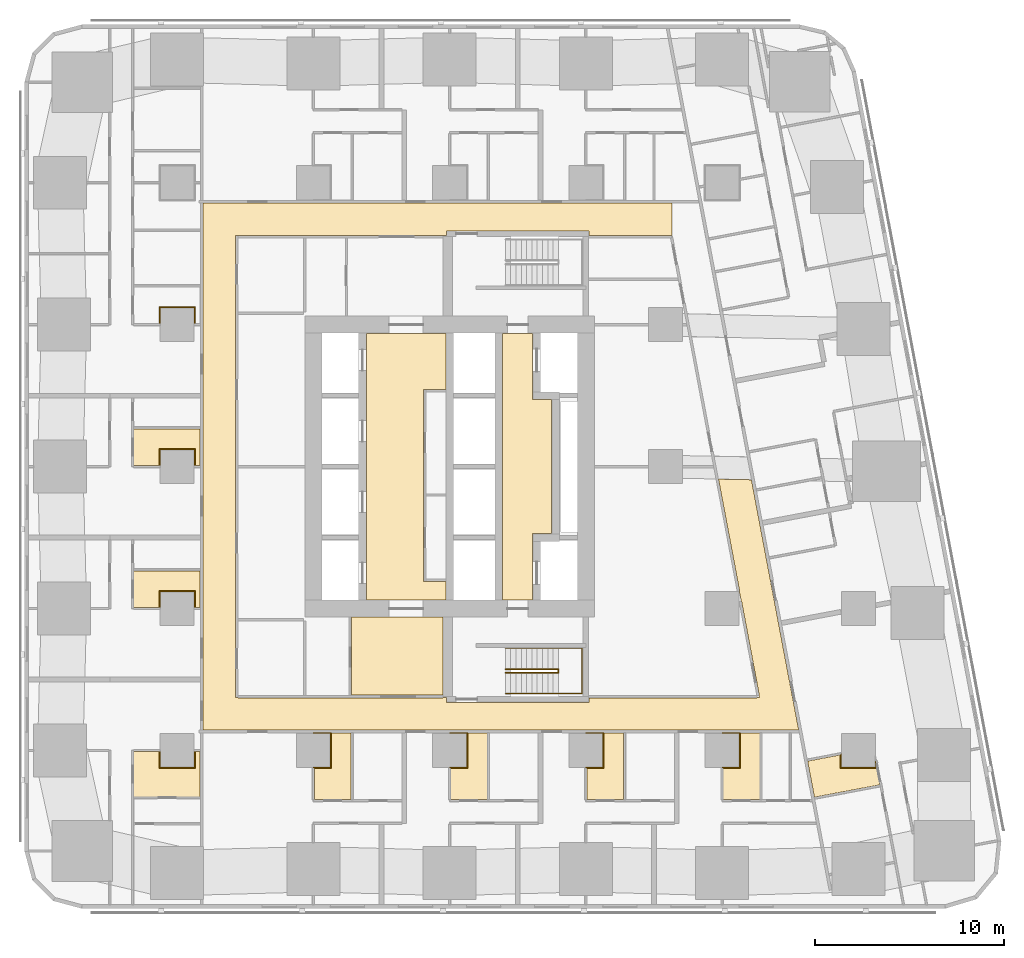
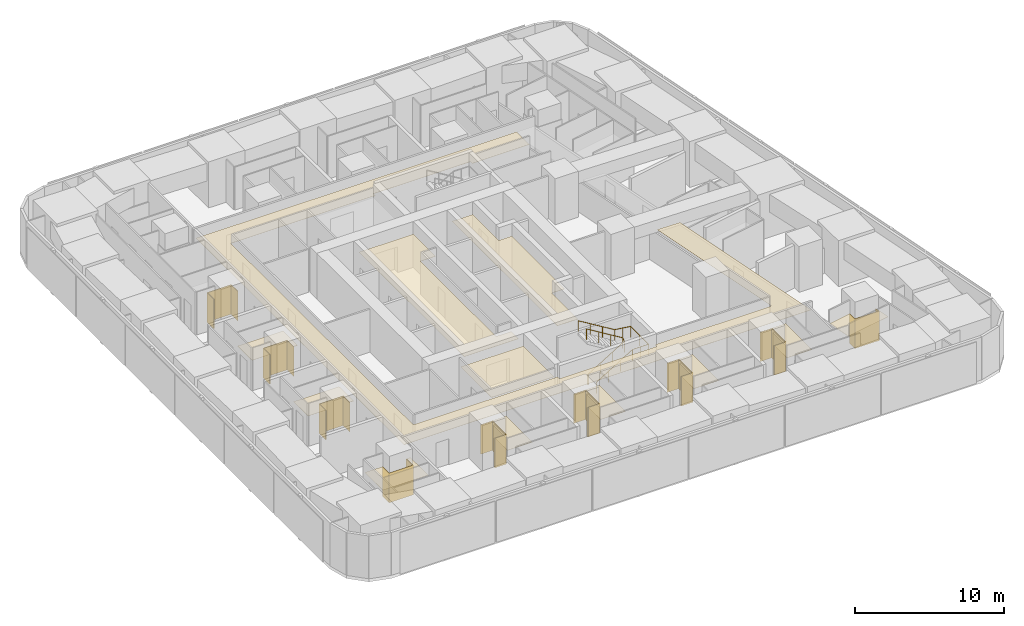
# One storey, part 13 of 15: 21 coverings, 2 railings.
"""IFC4 building model written with IfcOpenShell, lengths in metres."""

from ifc_helpers import new_model, si_unit, direction, frame, origin, origin_2d, place, context, subcontext, project, spatial, polyline, circle, outline, extrude, material, layer, layer_set, type_object, element, save


model = new_model("IFC4")

# Units and contexts
model_context = context("Model", 3, precision=1e-05, world=origin(), true_north=direction((0.0, 1.0)))
body_context = subcontext(model_context, "Body", "Model", "MODEL_VIEW")
ifc_project = project(units=[si_unit("LENGTHUNIT", "METRE"), si_unit("AREAUNIT", "SQUARE_METRE"), si_unit("VOLUMEUNIT", "CUBIC_METRE"), si_unit("PLANEANGLEUNIT", "RADIAN"), si_unit("MASSUNIT", "GRAM", prefix="KILO")], contexts=[model_context])

# Site, building, storey
site_placement = place(None, origin())
site = spatial("IfcSite", under=ifc_project, at=site_placement, CompositionType="ELEMENT")
building_placement = place(site_placement, origin())
building = spatial("IfcBuilding", under=site, at=building_placement, Name="Sheger Commons Tower", CompositionType="ELEMENT")
storey_placement = place(building_placement, frame((0.0, 0.0, 65.0)))
storey = spatial("IfcBuildingStorey", under=building, at=storey_placement, Name="L16", CompositionType="ELEMENT", Elevation=65.0)

# Railings
ifc_material_1 = material(Name="Steel handrail, black powder-coated", Category="steel")
railing_type = type_object("IfcRailingType", Name="HANDRAIL 900", PredefinedType="HANDRAIL", material=ifc_material_1)
railing_1_placement = place(storey_placement, frame((24.550048828125, 11.60009765625, 0.17041015625)))
element("IfcRailing", 1, at=railing_1_placement, inside=storey, type_object=railing_type, Name="Stair S1 handrail L16", PredefinedType="HANDRAIL", context=body_context, shape_type="SweptSolid", body=[
    extrude(circle(Radius=0.02392578125, at=origin_2d()), frame((0.0, 0.0, 0.8759765625), z_axis=(0.854169791009, 0.0, 0.51999420009), x_axis=(0.0, 1.0, 0.0)), (0.0, 0.0, 1.0), 3.278076171875),
    extrude(circle(Radius=0.02392578125, at=origin_2d()), frame((2.800048828125, 0.0, 2.58056640625), z_axis=(0.0, 0.761090297175, 0.648645943136), x_axis=(-1.0, 0.0, 0.0)), (0.0, 0.0, 1.0), 0.2626953125),
    extrude(circle(Radius=0.02392578125, at=origin_2d()), frame((2.800048828125, 0.199951171875, 2.7509765625), z_axis=(-0.854169791009, 0.0, 0.51999420009), x_axis=(0.0, -1.0, 0.0)), (0.0, 0.0, 1.0), 3.278076171875),
    extrude(circle(Radius=0.02099609375, at=origin_2d()), origin(), (0.0, 0.0, 1.0), 0.851806640625),
    extrude(circle(Radius=0.02099609375, at=origin_2d()), frame((0.933349609375, 0.0, 0.568115234375)), (0.0, 0.0, 1.0), 0.851806640625),
    extrude(circle(Radius=0.02099609375, at=origin_2d()), frame((1.86669921875, 0.0, 1.136474609375)), (0.0, 0.0, 1.0), 0.851806640625),
    extrude(circle(Radius=0.02099609375, at=origin_2d()), frame((2.800048828125, 0.0, 1.70458984375)), (0.0, 0.0, 1.0), 0.851806640625),
    extrude(circle(Radius=0.02099609375, at=origin_2d()), frame((2.800048828125, 0.199951171875, 1.875)), (0.0, 0.0, 1.0), 0.851806640625),
    extrude(circle(Radius=0.02099609375, at=origin_2d()), frame((1.86669921875, 0.199951171875, 2.443115234375)), (0.0, 0.0, 1.0), 0.851806640625),
    extrude(circle(Radius=0.02099609375, at=origin_2d()), frame((0.933349609375, 0.199951171875, 3.011474609375)), (0.0, 0.0, 1.0), 0.851806640625),
    extrude(circle(Radius=0.02099609375, at=origin_2d()), frame((0.0, 0.199951171875, 3.57958984375)), (0.0, 0.0, 1.0), 0.851806640625),
])
railing_2_placement = place(storey_placement, frame((24.550048828125, 10.5, 0.17041015625)))
element("IfcRailing", 2, at=railing_2_placement, inside=storey, type_object=railing_type, Name="Stair S1 handrail L16", PredefinedType="HANDRAIL", context=body_context, shape_type="SweptSolid", body=[
    extrude(circle(Radius=0.02392578125, at=origin_2d()), frame((0.0, 0.0, 0.8759765625), z_axis=(0.854169791009, 0.0, 0.51999420009), x_axis=(0.0, 1.0, 0.0)), (0.0, 0.0, 1.0), 3.278076171875),
    extrude(circle(Radius=0.02392578125, at=origin_2d()), frame((2.800048828125, 0.0, 2.58056640625), z_axis=(1.0, 0.0, 0.0), x_axis=(0.0, 1.0, 0.0)), (0.0, 0.0, 1.0), 1.25),
    extrude(circle(Radius=0.02392578125, at=origin_2d()), frame((4.050048828125, 0.0, 2.58056640625), z_axis=(0.0, 1.0, 0.0), x_axis=(-1.0, 0.0, 0.0)), (0.0, 0.0, 1.0), 2.39990234375),
    extrude(circle(Radius=0.02392578125, at=origin_2d()), frame((4.050048828125, 2.39990234375, 2.58056640625), z_axis=(-0.990834877927, 0.0, 0.135078661092), x_axis=(0.0, -1.0, 0.0)), (0.0, 0.0, 1.0), 1.261474609375),
    extrude(circle(Radius=0.02392578125, at=origin_2d()), frame((2.800048828125, 2.39990234375, 2.7509765625), z_axis=(-0.854169791009, 0.0, 0.51999420009), x_axis=(0.0, -1.0, 0.0)), (0.0, 0.0, 1.0), 3.278076171875),
    extrude(circle(Radius=0.02099609375, at=origin_2d()), origin(), (0.0, 0.0, 1.0), 0.851806640625),
    extrude(circle(Radius=0.02099609375, at=origin_2d()), frame((0.933349609375, 0.0, 0.568115234375)), (0.0, 0.0, 1.0), 0.851806640625),
    extrude(circle(Radius=0.02099609375, at=origin_2d()), frame((1.86669921875, 0.0, 1.136474609375)), (0.0, 0.0, 1.0), 0.851806640625),
    extrude(circle(Radius=0.02099609375, at=origin_2d()), frame((2.800048828125, 0.0, 1.70458984375)), (0.0, 0.0, 1.0), 0.851806640625),
    extrude(circle(Radius=0.02099609375, at=origin_2d()), frame((3.425048828125, 0.0, 1.70458984375)), (0.0, 0.0, 1.0), 0.851806640625),
    extrude(circle(Radius=0.02099609375, at=origin_2d()), frame((4.050048828125, 0.0, 1.70458984375)), (0.0, 0.0, 1.0), 0.851806640625),
    extrude(circle(Radius=0.02099609375, at=origin_2d()), frame((4.050048828125, 1.199951171875, 1.70458984375)), (0.0, 0.0, 1.0), 0.851806640625),
    extrude(circle(Radius=0.02099609375, at=origin_2d()), frame((4.050048828125, 2.39990234375, 1.70458984375)), (0.0, 0.0, 1.0), 0.851806640625),
    extrude(circle(Radius=0.02099609375, at=origin_2d()), frame((3.425048828125, 2.39990234375, 1.789794921875)), (0.0, 0.0, 1.0), 0.851806640625),
    extrude(circle(Radius=0.02099609375, at=origin_2d()), frame((2.800048828125, 2.39990234375, 1.875)), (0.0, 0.0, 1.0), 0.851806640625),
    extrude(circle(Radius=0.02099609375, at=origin_2d()), frame((1.86669921875, 2.39990234375, 2.443115234375)), (0.0, 0.0, 1.0), 0.851806640625),
    extrude(circle(Radius=0.02099609375, at=origin_2d()), frame((0.933349609375, 2.39990234375, 3.011474609375)), (0.0, 0.0, 1.0), 0.851806640625),
    extrude(circle(Radius=0.02099609375, at=origin_2d()), frame((0.0, 2.39990234375, 3.57958984375)), (0.0, 0.0, 1.0), 0.851806640625),
])

# Coverings
ifc_material_2 = material(Name="Moisture-resistant gypsum plasterboard 15 mm on a suspended galvanised steel grid", Category="steel")
ifc_layer_1 = layer(ifc_material_2, 0.014892578125)
ifc_layer_set_1 = layer_set([ifc_layer_1], Name="MOISTURE-RESISTANT CEILING 15")
covering_type_1 = type_object("IfcCoveringType", Name="MOISTURE-RESISTANT CEILING 15", PredefinedType="CEILING", material=ifc_layer_set_1)
covering_1_placement = place(storey_placement, frame((0.0, 0.0, 2.39990234375)))
element("IfcCovering", 3, at=covering_1_placement, inside=storey, type_object=covering_type_1, Name="L16-01.B1 ceiling", PredefinedType="CEILING", context=body_context, shape_type="SweptSolid", body=[
    extrude(outline(polyline([(4.905029296875, 5.053955078125), (8.419921875, 5.053955078125), (8.419921875, 7.445068359375), (8.10498046875, 7.445068359375), (8.10498046875, 6.594970703125), (6.294921875, 6.594970703125), (6.294921875, 7.445068359375), (4.905029296875, 7.445068359375), (4.905029296875, 5.053955078125)])), origin(), (0.0, 0.0, 1.0), 0.01513671875),
])
covering_2_placement = place(storey_placement, frame((0.0, 0.0, 2.39990234375)))
element("IfcCovering", 4, at=covering_2_placement, inside=storey, type_object=covering_type_1, Name="L16-02.B1 ceiling", PredefinedType="CEILING", context=body_context, shape_type="SweptSolid", body=[
    extrude(outline(polyline([(4.905029296875, 15.054931640625), (6.294921875, 15.054931640625), (6.294921875, 15.905029296875), (8.10498046875, 15.905029296875), (8.10498046875, 15.054931640625), (8.419921875, 15.054931640625), (8.419921875, 16.9951171875), (4.905029296875, 16.9951171875), (4.905029296875, 15.054931640625)])), origin(), (0.0, 0.0, 1.0), 0.01513671875),
])
covering_3_placement = place(storey_placement, frame((0.0, 0.0, 2.39990234375)))
element("IfcCovering", 5, at=covering_3_placement, inside=storey, type_object=covering_type_1, Name="L16-03.B1 ceiling", PredefinedType="CEILING", context=body_context, shape_type="SweptSolid", body=[
    extrude(outline(polyline([(4.905029296875, 22.554931640625), (6.294921875, 22.554931640625), (6.294921875, 23.405029296875), (8.10498046875, 23.405029296875), (8.10498046875, 22.554931640625), (8.419921875, 22.554931640625), (8.419921875, 24.4951171875), (4.905029296875, 24.4951171875), (4.905029296875, 22.554931640625)])), origin(), (0.0, 0.0, 1.0), 0.01513671875),
])
covering_4_placement = place(storey_placement, frame((0.0, 0.0, 2.39990234375)))
element("IfcCovering", 6, at=covering_4_placement, inside=storey, type_object=covering_type_1, Name="L16-05.B1 ceiling", PredefinedType="CEILING", context=body_context, shape_type="SweptSolid", body=[
    extrude(outline(polyline([(14.455078125, 4.905029296875), (16.39501953125, 4.905029296875), (16.39501953125, 8.419921875), (14.39990234375, 8.419921875), (14.39990234375, 8.405029296875), (15.304931640625, 8.405029296875), (15.304931640625, 6.594970703125), (14.455078125, 6.594970703125), (14.455078125, 4.905029296875)])), origin(), (0.0, 0.0, 1.0), 0.01513671875),
])
covering_5_placement = place(storey_placement, frame((0.0, 0.0, 2.39990234375)))
element("IfcCovering", 7, at=covering_5_placement, inside=storey, type_object=covering_type_1, Name="L16-06.B1 ceiling", PredefinedType="CEILING", context=body_context, shape_type="SweptSolid", body=[
    extrude(outline(polyline([(21.655029296875, 4.905029296875), (23.594970703125, 4.905029296875), (23.594970703125, 8.419921875), (21.60009765625, 8.419921875), (21.60009765625, 8.405029296875), (22.5048828125, 8.405029296875), (22.5048828125, 6.594970703125), (21.655029296875, 6.594970703125), (21.655029296875, 4.905029296875)])), origin(), (0.0, 0.0, 1.0), 0.01513671875),
])
covering_6_placement = place(storey_placement, frame((0.0, 0.0, 2.39990234375)))
element("IfcCovering", 8, at=covering_6_placement, inside=storey, type_object=covering_type_1, Name="L16-07.B1 ceiling", PredefinedType="CEILING", context=body_context, shape_type="SweptSolid", body=[
    extrude(outline(polyline([(28.85498046875, 4.905029296875), (30.794921875, 4.905029296875), (30.794921875, 8.419921875), (28.800048828125, 8.419921875), (28.800048828125, 8.405029296875), (29.705078125, 8.405029296875), (29.705078125, 6.594970703125), (28.85498046875, 6.594970703125), (28.85498046875, 4.905029296875)])), origin(), (0.0, 0.0, 1.0), 0.01513671875),
])
covering_7_placement = place(storey_placement, frame((0.0, 0.0, 2.39990234375)))
element("IfcCovering", 9, at=covering_7_placement, inside=storey, type_object=covering_type_1, Name="L16-08.B1 ceiling", PredefinedType="CEILING", context=body_context, shape_type="SweptSolid", body=[
    extrude(outline(polyline([(36.054931640625, 4.905029296875), (37.9951171875, 4.905029296875), (37.9951171875, 8.419921875), (36.0, 8.419921875), (36.0, 8.405029296875), (36.905029296875, 8.405029296875), (36.905029296875, 6.594970703125), (36.054931640625, 6.594970703125), (36.054931640625, 4.905029296875)])), origin(), (0.0, 0.0, 1.0), 0.01513671875),
])
covering_8_placement = place(storey_placement, frame((0.0, 0.0, 2.39990234375)))
element("IfcCovering", 10, at=covering_8_placement, inside=storey, type_object=covering_type_1, Name="L16-12.B1 ceiling", PredefinedType="CEILING", context=body_context, shape_type="SweptSolid", body=[
    extrude(outline(polyline([(40.881103515625, 5.031982421875), (44.333984375, 5.68408203125), (44.10693359375, 6.885009765625), (44.10498046875, 6.885009765625), (44.10498046875, 6.594970703125), (42.294921875, 6.594970703125), (42.294921875, 7.27294921875), (40.52099609375, 6.93798828125), (40.881103515625, 5.031982421875)])), origin(), (0.0, 0.0, 1.0), 0.01513671875),
])
ifc_material_3 = material(Name="Gypsum plasterboard 15 mm on a suspended steel grid", Category="steel")
ifc_layer_2 = layer(ifc_material_3, 0.014892578125)
ifc_layer_set_2 = layer_set([ifc_layer_2], Name="SUSPENDED CEILING 15")
covering_type_2 = type_object("IfcCoveringType", Name="SUSPENDED CEILING 15", PredefinedType="CEILING", material=ifc_layer_set_2)
covering_9_placement = place(storey_placement, frame((0.0, 0.0, 2.699951171875)))
element("IfcCovering", 11, at=covering_9_placement, inside=storey, type_object=covering_type_2, Name="L16-CO ceiling", PredefinedType="CEILING", context=body_context, shape_type="SweptSolid", body=[
    extrude(outline(polyline([(8.580078125, 8.580078125), (40.048095703125, 8.580078125), (37.551025390625, 21.802978515625), (35.81103515625, 21.837890625), (36.927978515625, 15.9208984375), (36.910888671875, 15.9169921875), (37.010009765625, 15.39501953125), (37.027099609375, 15.39794921875), (37.967041015625, 10.4208984375), (37.949951171875, 10.4169921875), (37.971923828125, 10.300048828125), (37.841064453125, 10.300048828125), (37.841064453125, 10.281982421875), (28.955078125, 10.281982421875), (28.955078125, 10.044921875), (21.445068359375, 10.044921875), (21.445068359375, 10.300048828125), (21.2548828125, 10.300048828125), (21.2548828125, 10.281982421875), (10.407958984375, 10.281982421875), (10.407958984375, 10.294921875), (10.281982421875, 10.294921875), (10.281982421875, 34.705078125), (10.407958984375, 34.705078125), (10.407958984375, 34.718017578125), (21.2548828125, 34.718017578125), (21.2548828125, 34.699951171875), (21.445068359375, 34.699951171875), (21.445068359375, 34.955078125), (28.955078125, 34.955078125), (28.955078125, 34.718017578125), (33.3359375, 34.718017578125), (33.3359375, 34.699951171875), (33.361083984375, 34.699951171875), (33.361083984375, 36.419921875), (8.580078125, 36.419921875), (8.580078125, 8.580078125)])), origin(), (0.0, 0.0, 1.0), 0.01513671875),
])
covering_10_placement = place(storey_placement, frame((0.0, 0.0, 2.699951171875)))
element("IfcCovering", 12, at=covering_10_placement, inside=storey, type_object=covering_type_2, Name="L16-SVS1 ceiling", PredefinedType="CEILING", context=body_context, shape_type="SweptSolid", body=[
    extrude(outline(polyline([(16.406982421875, 10.41796875), (21.2451171875, 10.41796875), (21.2451171875, 14.544921875), (16.406982421875, 14.544921875), (16.406982421875, 10.41796875)])), origin(), (0.0, 0.0, 1.0), 0.01513671875),
])
covering_11_placement = place(storey_placement, frame((0.0, 0.0, 2.699951171875)))
element("IfcCovering", 13, at=covering_11_placement, inside=storey, type_object=covering_type_2, Name="L16-LL ceiling", PredefinedType="CEILING", context=body_context, shape_type="SweptSolid", body=[
    extrude(outline(polyline([(17.205078125, 15.455078125), (21.39990234375, 15.455078125), (21.39990234375, 16.43310546875), (20.35791015625, 16.43310546875), (20.23291015625, 16.43310546875), (20.23291015625, 26.56689453125), (20.35791015625, 26.56689453125), (21.39990234375, 26.56689453125), (21.39990234375, 29.544921875), (17.205078125, 29.544921875), (17.205078125, 15.455078125)])), origin(), (0.0, 0.0, 1.0), 0.01513671875),
])
covering_12_placement = place(storey_placement, frame((0.0, 0.0, 2.699951171875)))
element("IfcCovering", 14, at=covering_12_placement, inside=storey, type_object=covering_type_2, Name="L16-FL ceiling", PredefinedType="CEILING", context=body_context, shape_type="SweptSolid", body=[
    extrude(outline(polyline([(24.405029296875, 15.455078125), (25.9951171875, 15.455078125), (25.9951171875, 18.955078125), (26.9951171875, 18.955078125), (26.9951171875, 26.044921875), (25.9951171875, 26.044921875), (25.9951171875, 29.544921875), (24.405029296875, 29.544921875), (24.405029296875, 15.455078125)])), origin(), (0.0, 0.0, 1.0), 0.01513671875),
])
ifc_material_4 = material(Name="Moisture-resistant gypsum board 12.5 mm on 25 mm treated timber battens, tanked and tiled", Category="wood")
ifc_layer_3 = layer(ifc_material_4, 0.050048828125)
ifc_layer_set_3 = layer_set([ifc_layer_3], Name="WET-ROOM COLUMN LINING")
covering_type_3 = type_object("IfcCoveringType", Name="WET-ROOM COLUMN LINING", PredefinedType="CLADDING", material=ifc_layer_set_3)
covering_13_placement = place(storey_placement, origin())
element("IfcCovering", 15, at=covering_13_placement, inside=storey, type_object=covering_type_3, Name="Bathroom column lining C8 L16", PredefinedType="CLADDING", context=body_context, shape_type="SweptSolid", body=[
    extrude(outline(polyline([(6.300048828125, 7.5), (6.300048828125, 6.60009765625), (8.10009765625, 6.60009765625), (8.10009765625, 7.5), (8.10107421875, 7.5), (8.10107421875, 7.449951171875), (8.14990234375, 7.449951171875), (8.14990234375, 6.550048828125), (6.25, 6.550048828125), (6.25, 7.449951171875), (6.299072265625, 7.449951171875), (6.299072265625, 7.5), (6.300048828125, 7.5)])), origin(), (0.0, 0.0, 1.0), 2.39990234375),
])
covering_14_placement = place(storey_placement, origin())
element("IfcCovering", 16, at=covering_14_placement, inside=storey, type_object=covering_type_3, Name="Bathroom column lining C8 L16", PredefinedType="CLADDING", context=body_context, shape_type="SweptSolid", body=[
    extrude(outline(polyline([(15.35009765625, 6.550048828125), (14.449951171875, 6.550048828125), (14.449951171875, 6.59912109375), (14.39990234375, 6.59912109375), (14.39990234375, 6.60009765625), (15.300048828125, 6.60009765625), (15.300048828125, 8.39990234375), (14.39990234375, 8.39990234375), (14.39990234375, 8.425048828125), (15.35009765625, 8.425048828125), (15.35009765625, 6.550048828125)])), origin(), (0.0, 0.0, 1.0), 2.39990234375),
])
covering_15_placement = place(storey_placement, origin())
element("IfcCovering", 17, at=covering_15_placement, inside=storey, type_object=covering_type_3, Name="Bathroom column lining C8 L16", PredefinedType="CLADDING", context=body_context, shape_type="SweptSolid", body=[
    extrude(outline(polyline([(22.550048828125, 6.550048828125), (21.64990234375, 6.550048828125), (21.64990234375, 6.59912109375), (21.60009765625, 6.59912109375), (21.60009765625, 6.60009765625), (22.5, 6.60009765625), (22.5, 8.39990234375), (21.60009765625, 8.39990234375), (21.60009765625, 8.425048828125), (22.550048828125, 8.425048828125), (22.550048828125, 6.550048828125)])), origin(), (0.0, 0.0, 1.0), 2.39990234375),
])
covering_16_placement = place(storey_placement, origin())
element("IfcCovering", 18, at=covering_16_placement, inside=storey, type_object=covering_type_3, Name="Bathroom column lining C8 L16", PredefinedType="CLADDING", context=body_context, shape_type="SweptSolid", body=[
    extrude(outline(polyline([(29.75, 6.550048828125), (28.85009765625, 6.550048828125), (28.85009765625, 6.59912109375), (28.800048828125, 6.59912109375), (28.800048828125, 6.60009765625), (29.699951171875, 6.60009765625), (29.699951171875, 8.39990234375), (28.800048828125, 8.39990234375), (28.800048828125, 8.425048828125), (29.75, 8.425048828125), (29.75, 6.550048828125)])), origin(), (0.0, 0.0, 1.0), 2.39990234375),
])
covering_17_placement = place(storey_placement, origin())
element("IfcCovering", 19, at=covering_17_placement, inside=storey, type_object=covering_type_3, Name="Bathroom column lining C8 L16", PredefinedType="CLADDING", context=body_context, shape_type="SweptSolid", body=[
    extrude(outline(polyline([(36.949951171875, 6.550048828125), (36.050048828125, 6.550048828125), (36.050048828125, 6.59912109375), (36.0, 6.59912109375), (36.0, 6.60009765625), (36.89990234375, 6.60009765625), (36.89990234375, 8.39990234375), (36.0, 8.39990234375), (36.0, 8.425048828125), (36.949951171875, 8.425048828125), (36.949951171875, 6.550048828125)])), origin(), (0.0, 0.0, 1.0), 2.39990234375),
])
covering_18_placement = place(storey_placement, origin())
element("IfcCovering", 20, at=covering_18_placement, inside=storey, type_object=covering_type_3, Name="Bathroom column lining C8 L16", PredefinedType="CLADDING", context=body_context, shape_type="SweptSolid", body=[
    extrude(outline(polyline([(42.300048828125, 7.3310546875), (42.300048828125, 6.60009765625), (44.10009765625, 6.60009765625), (44.10009765625, 6.949951171875), (44.14990234375, 6.68603515625), (44.14990234375, 6.550048828125), (42.25, 6.550048828125), (42.25, 7.27001953125), (42.299072265625, 7.279052734375), (42.2900390625, 7.3291015625), (42.300048828125, 7.3310546875)])), origin(), (0.0, 0.0, 1.0), 2.39990234375),
])
covering_19_placement = place(storey_placement, origin())
element("IfcCovering", 21, at=covering_19_placement, inside=storey, type_object=covering_type_3, Name="Bathroom column lining C8 L16", PredefinedType="CLADDING", context=body_context, shape_type="SweptSolid", body=[
    extrude(outline(polyline([(8.14990234375, 15.949951171875), (8.14990234375, 15.050048828125), (8.10107421875, 15.050048828125), (8.10107421875, 15.0), (8.10009765625, 15.0), (8.10009765625, 15.89990234375), (6.300048828125, 15.89990234375), (6.300048828125, 15.0), (6.299072265625, 15.0), (6.299072265625, 15.050048828125), (6.25, 15.050048828125), (6.25, 15.949951171875), (8.14990234375, 15.949951171875)])), origin(), (0.0, 0.0, 1.0), 2.39990234375),
])
covering_20_placement = place(storey_placement, origin())
element("IfcCovering", 22, at=covering_20_placement, inside=storey, type_object=covering_type_3, Name="Bathroom column lining C8 L16", PredefinedType="CLADDING", context=body_context, shape_type="SweptSolid", body=[
    extrude(outline(polyline([(8.14990234375, 23.449951171875), (8.14990234375, 22.550048828125), (8.10107421875, 22.550048828125), (8.10107421875, 22.5), (8.10009765625, 22.5), (8.10009765625, 23.39990234375), (6.300048828125, 23.39990234375), (6.300048828125, 22.5), (6.299072265625, 22.5), (6.299072265625, 22.550048828125), (6.25, 22.550048828125), (6.25, 23.449951171875), (8.14990234375, 23.449951171875)])), origin(), (0.0, 0.0, 1.0), 2.39990234375),
])
covering_21_placement = place(storey_placement, origin())
element("IfcCovering", 23, at=covering_21_placement, inside=storey, type_object=covering_type_3, Name="Bathroom column lining C8 L16", PredefinedType="CLADDING", context=body_context, shape_type="SweptSolid", body=[
    extrude(outline(polyline([(8.14990234375, 30.949951171875), (8.14990234375, 30.050048828125), (8.10107421875, 30.050048828125), (8.10107421875, 30.0), (8.10009765625, 30.0), (8.10009765625, 30.89990234375), (6.300048828125, 30.89990234375), (6.300048828125, 30.0), (6.299072265625, 30.0), (6.299072265625, 30.050048828125), (6.25, 30.050048828125), (6.25, 30.949951171875), (8.14990234375, 30.949951171875)])), origin(), (0.0, 0.0, 1.0), 2.39990234375),
])

save(model, "model.ifc")
